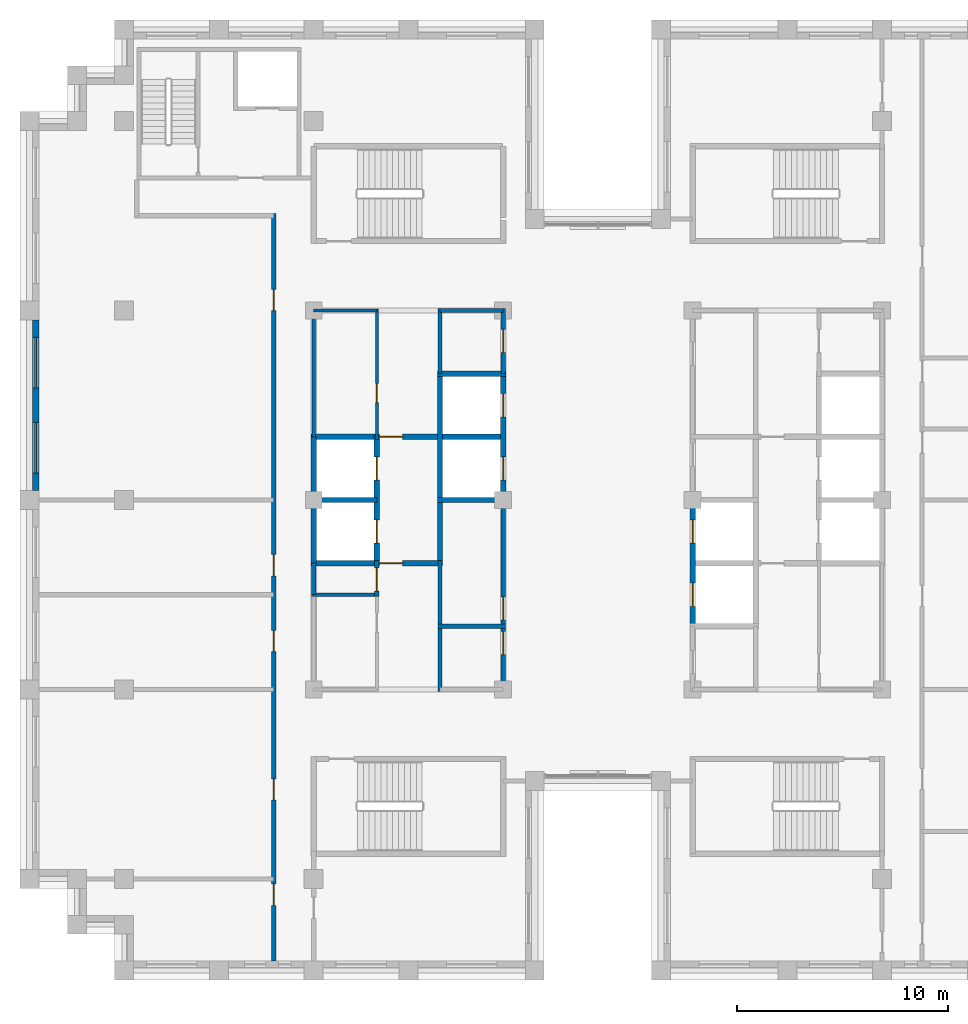
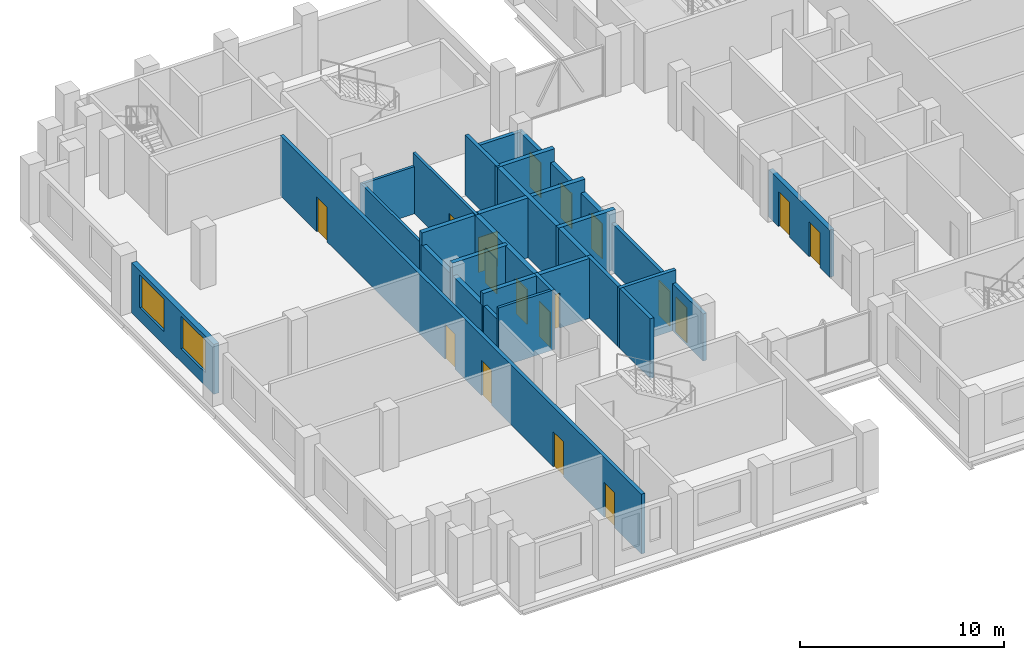
# One storey, part 7 of 13: 24 walls, 18 doors, 2 windows, 20 openings.
"""IFC4 building model written with IfcOpenShell, lengths in metres."""

from ifc_helpers import new_model, si_unit, direction, frame, frame_2d, origin, place, context, subcontext, project, spatial, rectangle, extrude, material, layer, layer_set, type_object, element, fill, save


model = new_model("IFC4")

# Units and contexts
model_context = context("Model", 3, precision=1e-05, world=origin(), true_north=direction((0.0, 1.0)))
body_context = subcontext(model_context, "Body", "Model", "MODEL_VIEW")
ifc_project = project(units=[si_unit("LENGTHUNIT", "METRE"), si_unit("AREAUNIT", "SQUARE_METRE"), si_unit("VOLUMEUNIT", "CUBIC_METRE"), si_unit("PLANEANGLEUNIT", "RADIAN"), si_unit("MASSUNIT", "GRAM", prefix="KILO")], contexts=[model_context])

# Site, building, storey
site_placement = place(None, origin())
site = spatial("IfcSite", under=ifc_project, at=site_placement, CompositionType="ELEMENT")
building_placement = place(site_placement, origin())
building = spatial("IfcBuilding", under=site, at=building_placement, Name="Corbelhall Arena Tower", CompositionType="ELEMENT")
storey_placement = place(building_placement, frame((0.0, 0.0, 290.0)))
storey = spatial("IfcBuildingStorey", under=building, at=storey_placement, Name="L63", CompositionType="ELEMENT", Elevation=290.0)

# Wall, openings, windows
ifc_material_1 = material(Name="Precast concrete C40/50 with granite facing", Category="masonry")
ifc_layer_1 = layer(ifc_material_1, 0.300048828125)
ifc_layer_set_1 = layer_set([ifc_layer_1], Name="EV-IW1 Infill panel 300")
wall_type_1 = type_object("IfcWallType", Name="EV-IW1 Infill panel 300", PredefinedType="SOLIDWALL", material=ifc_layer_set_1)
wall_1_placement = place(storey_placement, frame((-26.699951171875, 8.550048828125, 0.0), z_axis=(0.0, 0.0, 1.0), x_axis=(0.0, -1.0, 0.0)))
wall_1 = element("IfcWall", 1, at=wall_1_placement, inside=storey, type_object=wall_type_1, Name="Infill panel IW1", PredefinedType="SOLIDWALL", context=body_context, shape_type="SweptSolid", body=[
    extrude(rectangle(XDim=8.10009765625, YDim=0.300048828125, at=frame_2d((4.050048828125, 0.0))), origin(), (0.0, 0.0, 1.0), 2.989990234375),
])
opening_1_placement = place(wall_1_placement, frame((0.824951171875, 0.0, 0.800048828125)))
opening_1 = element("IfcOpeningElement", 2, at=opening_1_placement, cuts=wall_1, Name="Opening WN1", PredefinedType="OPENING", context=body_context, shape_type="SweptSolid", body=[
    extrude(rectangle(XDim=2.39990234375, YDim=1.949951171875, at=frame_2d((1.199951171875, 0.97509765625))), frame((0.0, 0.14990234375, 0.0), z_axis=(0.0, -1.0, 0.0), x_axis=(1.0, 0.0, 0.0)), (0.0, 0.0, 1.0), 0.300048828125),
])
opening_2_placement = place(wall_1_placement, frame((4.875, 0.0, 0.800048828125)))
opening_2 = element("IfcOpeningElement", 3, at=opening_2_placement, cuts=wall_1, Name="Opening WN1", PredefinedType="OPENING", context=body_context, shape_type="SweptSolid", body=[
    extrude(rectangle(XDim=2.39990234375, YDim=1.949951171875, at=frame_2d((1.199951171875, 0.97509765625))), frame((0.0, 0.14990234375, 0.0), z_axis=(0.0, -1.0, 0.0), x_axis=(1.0, 0.0, 0.0)), (0.0, 0.0, 1.0), 0.300048828125),
])
ifc_material_2 = material(Name="Aluminium black anodised", Category="aluminium")
window_type = type_object("IfcWindowType", Name="EV-WN1 Office window", PartitioningType="SINGLE_PANEL", PredefinedType="WINDOW", material=ifc_material_2)
window_1_placement = place(opening_1_placement, origin())
window_1 = element("IfcWindow", 4, at=window_1_placement, inside=storey, type_object=window_type, Name="Window WN1", OverallHeight=1.949951171875, OverallWidth=2.39990234375, PartitioningType="SINGLE_PANEL", PredefinedType="WINDOW", context=body_context, shape_type="SweptSolid", body=[
    extrude(rectangle(XDim=2.39990234375, YDim=1.949951171875, at=frame_2d((1.199951171875, 0.97509765625))), frame((0.0, 0.030029296875, 0.0), z_axis=(0.0, -1.0, 0.0), x_axis=(1.0, 0.0, 0.0)), (0.0, 0.0, 1.0), 0.06005859375),
])
fill(opening_1, window_1)
window_2_placement = place(opening_2_placement, origin())
window_2 = element("IfcWindow", 5, at=window_2_placement, inside=storey, type_object=window_type, Name="Window WN1", OverallHeight=1.949951171875, OverallWidth=2.39990234375, PartitioningType="SINGLE_PANEL", PredefinedType="WINDOW", context=body_context, shape_type="SweptSolid", body=[
    extrude(rectangle(XDim=2.39990234375, YDim=1.949951171875, at=frame_2d((1.199951171875, 0.97509765625))), frame((0.0, 0.030029296875, 0.0), z_axis=(0.0, -1.0, 0.0), x_axis=(1.0, 0.0, 0.0)), (0.0, 0.0, 1.0), 0.06005859375),
])
fill(opening_2, window_2)

# Wall, openings, doors
ifc_material_3 = material(Name="Gypsum board on steel stud, acoustic", Category="steel")
ifc_layer_2 = layer(ifc_material_3, 0.199951171875)
ifc_layer_set_2 = layer_set([ifc_layer_2], Name="IN-W-DM200")
wall_type_2 = type_object("IfcWallType", Name="IN-W-DM200", PredefinedType="PARTITIONING", material=ifc_layer_set_2)
wall_2_placement = place(storey_placement, frame((-15.39990234375, -21.89990234375, 0.0), z_axis=(0.0, 0.0, 1.0), x_axis=(0.0, 1.0, 0.0)))
wall_2 = element("IfcWall", 6, at=wall_2_placement, inside=storey, type_object=wall_type_2, Name="Partition 005", PredefinedType="PARTITIONING", context=body_context, shape_type="SweptSolid", body=[
    extrude(rectangle(XDim=35.5, YDim=0.199951171875, at=frame_2d((17.75, 0.0))), origin(), (0.0, 0.0, 1.0), 3.590087890625),
])
opening_3_placement = place(wall_2_placement, frame((30.89990234375, 0.0, 0.0)))
opening_3 = element("IfcOpeningElement", 7, at=opening_3_placement, cuts=wall_2, Name="Opening 20023", PredefinedType="OPENING", context=body_context, shape_type="SweptSolid", body=[
    extrude(rectangle(XDim=1.0, YDim=2.10009765625, at=frame_2d((0.5, 1.050048828125))), frame((0.0, 0.10009765625, 0.0), z_axis=(0.0, -1.0, 0.0), x_axis=(1.0, 0.0, 0.0)), (0.0, 0.0, 1.0), 0.199951171875),
])
opening_4_placement = place(wall_2_placement, frame((2.64990234375, 0.0, 0.0)))
opening_4 = element("IfcOpeningElement", 8, at=opening_4_placement, cuts=wall_2, Name="Opening 20024", PredefinedType="OPENING", context=body_context, shape_type="SweptSolid", body=[
    extrude(rectangle(XDim=1.0, YDim=2.10009765625, at=frame_2d((0.5, 1.050048828125))), frame((0.0, 0.10009765625, 0.0), z_axis=(0.0, -1.0, 0.0), x_axis=(1.0, 0.0, 0.0)), (0.0, 0.0, 1.0), 0.199951171875),
])
opening_5_placement = place(wall_2_placement, frame((7.64990234375, 0.0, 0.0)))
opening_5 = element("IfcOpeningElement", 9, at=opening_5_placement, cuts=wall_2, Name="Opening 20025", PredefinedType="OPENING", context=body_context, shape_type="SweptSolid", body=[
    extrude(rectangle(XDim=1.0, YDim=2.10009765625, at=frame_2d((0.5, 1.050048828125))), frame((0.0, 0.10009765625, 0.0), z_axis=(0.0, -1.0, 0.0), x_axis=(1.0, 0.0, 0.0)), (0.0, 0.0, 1.0), 0.199951171875),
])
opening_6_placement = place(wall_2_placement, frame((14.699951171875, 0.0, 0.0)))
opening_6 = element("IfcOpeningElement", 10, at=opening_6_placement, cuts=wall_2, Name="Opening 20026", PredefinedType="OPENING", context=body_context, shape_type="SweptSolid", body=[
    extrude(rectangle(XDim=1.0, YDim=2.10009765625, at=frame_2d((0.5, 1.050048828125))), frame((0.0, 0.10009765625, 0.0), z_axis=(0.0, -1.0, 0.0), x_axis=(1.0, 0.0, 0.0)), (0.0, 0.0, 1.0), 0.199951171875),
])
opening_7_placement = place(wall_2_placement, frame((18.300048828125, 0.0, 0.0)))
opening_7 = element("IfcOpeningElement", 11, at=opening_7_placement, cuts=wall_2, Name="Opening 20027", PredefinedType="OPENING", context=body_context, shape_type="SweptSolid", body=[
    extrude(rectangle(XDim=1.0, YDim=2.10009765625, at=frame_2d((0.5, 1.050048828125))), frame((0.0, 0.10009765625, 0.0), z_axis=(0.0, -1.0, 0.0), x_axis=(1.0, 0.0, 0.0)), (0.0, 0.0, 1.0), 0.199951171875),
])
ifc_material_4 = material(Name="Steel door set", Category="steel")
door_type_1 = type_object("IfcDoorType", Name="IN-D-SW100", OperationType="NOTDEFINED", PredefinedType="DOOR", material=ifc_material_4)
door_1_placement = place(opening_3_placement, origin())
door_1 = element("IfcDoor", 12, at=door_1_placement, inside=storey, type_object=door_type_1, Name="Door 023", OperationType="SINGLE_SWING_RIGHT", OverallHeight=2.10009765625, OverallWidth=1.0, PredefinedType="DOOR", context=body_context, shape_type="SweptSolid", body=[
    extrude(rectangle(XDim=1.0, YDim=2.10009765625, at=frame_2d((0.5, 1.050048828125))), frame((0.0, 0.02490234375, 0.0), z_axis=(0.0, -1.0, 0.0), x_axis=(1.0, 0.0, 0.0)), (0.0, 0.0, 1.0), 0.050048828125),
])
fill(opening_3, door_1)
door_2_placement = place(opening_4_placement, origin())
door_2 = element("IfcDoor", 13, at=door_2_placement, inside=storey, type_object=door_type_1, Name="Door 024", OperationType="SINGLE_SWING_LEFT", OverallHeight=2.10009765625, OverallWidth=1.0, PredefinedType="DOOR", context=body_context, shape_type="SweptSolid", body=[
    extrude(rectangle(XDim=1.0, YDim=2.10009765625, at=frame_2d((0.5, 1.050048828125))), frame((0.0, 0.02490234375, 0.0), z_axis=(0.0, -1.0, 0.0), x_axis=(1.0, 0.0, 0.0)), (0.0, 0.0, 1.0), 0.050048828125),
])
fill(opening_4, door_2)
door_3_placement = place(opening_5_placement, origin())
door_3 = element("IfcDoor", 14, at=door_3_placement, inside=storey, type_object=door_type_1, Name="Door 025", OperationType="SINGLE_SWING_RIGHT", OverallHeight=2.10009765625, OverallWidth=1.0, PredefinedType="DOOR", context=body_context, shape_type="SweptSolid", body=[
    extrude(rectangle(XDim=1.0, YDim=2.10009765625, at=frame_2d((0.5, 1.050048828125))), frame((0.0, 0.02490234375, 0.0), z_axis=(0.0, -1.0, 0.0), x_axis=(1.0, 0.0, 0.0)), (0.0, 0.0, 1.0), 0.050048828125),
])
fill(opening_5, door_3)
door_4_placement = place(opening_6_placement, origin())
door_4 = element("IfcDoor", 15, at=door_4_placement, inside=storey, type_object=door_type_1, Name="Door 026", OperationType="SINGLE_SWING_LEFT", OverallHeight=2.10009765625, OverallWidth=1.0, PredefinedType="DOOR", context=body_context, shape_type="SweptSolid", body=[
    extrude(rectangle(XDim=1.0, YDim=2.10009765625, at=frame_2d((0.5, 1.050048828125))), frame((0.0, 0.02490234375, 0.0), z_axis=(0.0, -1.0, 0.0), x_axis=(1.0, 0.0, 0.0)), (0.0, 0.0, 1.0), 0.050048828125),
])
fill(opening_6, door_4)
door_5_placement = place(opening_7_placement, origin())
door_5 = element("IfcDoor", 16, at=door_5_placement, inside=storey, type_object=door_type_1, Name="Door 027", OperationType="SINGLE_SWING_RIGHT", OverallHeight=2.10009765625, OverallWidth=1.0, PredefinedType="DOOR", context=body_context, shape_type="SweptSolid", body=[
    extrude(rectangle(XDim=1.0, YDim=2.10009765625, at=frame_2d((0.5, 1.050048828125))), frame((0.0, 0.02490234375, 0.0), z_axis=(0.0, -1.0, 0.0), x_axis=(1.0, 0.0, 0.0)), (0.0, 0.0, 1.0), 0.050048828125),
])
fill(opening_7, door_5)

# Wall, opening, door
ifc_material_5 = material(Name="Concrete block wall", Category="concrete")
ifc_layer_3 = layer(ifc_material_5, 0.199951171875)
ifc_layer_set_3 = layer_set([ifc_layer_3], Name="IN-W-RS200")
wall_type_3 = type_object("IfcWallType", Name="IN-W-RS200", PredefinedType="SOLIDWALL", material=ifc_layer_set_3)
wall_3_placement = place(storey_placement, frame((-10.5, -4.574951171875, 0.0), z_axis=(0.0, 0.0, 1.0), x_axis=(0.0, 1.0, 0.0)))
wall_3 = element("IfcWall", 17, at=wall_3_placement, inside=storey, type_object=wall_type_3, Name="Partition 022", PredefinedType="SOLIDWALL", context=body_context, shape_type="SweptSolid", body=[
    extrude(rectangle(XDim=1.699951171875, YDim=0.199951171875, at=frame_2d((0.85009765625, 0.0))), origin(), (0.0, 0.0, 1.0), 3.590087890625),
])
opening_8_placement = place(wall_3_placement, frame((0.25, 0.0, 0.0)))
opening_8 = element("IfcOpeningElement", 18, at=opening_8_placement, cuts=wall_3, Name="Opening 20007", PredefinedType="OPENING", context=body_context, shape_type="SweptSolid", body=[
    extrude(rectangle(XDim=1.10009765625, YDim=2.10009765625, at=frame_2d((0.550048828125, 1.050048828125))), frame((0.0, 0.10009765625, 0.0), z_axis=(0.0, -1.0, 0.0), x_axis=(1.0, 0.0, 0.0)), (0.0, 0.0, 1.0), 0.199951171875),
])
door_type_2 = type_object("IfcDoorType", Name="IN-D-FD110", OperationType="NOTDEFINED", PredefinedType="DOOR", material=ifc_material_4)
door_6_placement = place(opening_8_placement, origin())
door_6 = element("IfcDoor", 19, at=door_6_placement, inside=storey, type_object=door_type_2, Name="Door 007", OperationType="SINGLE_SWING_RIGHT", OverallHeight=2.10009765625, OverallWidth=1.10009765625, PredefinedType="DOOR", context=body_context, shape_type="SweptSolid", body=[
    extrude(rectangle(XDim=1.10009765625, YDim=2.10009765625, at=frame_2d((0.550048828125, 1.050048828125))), frame((0.0, 0.02490234375, 0.0), z_axis=(0.0, -1.0, 0.0), x_axis=(1.0, 0.0, 0.0)), (0.0, 0.0, 1.0), 0.050048828125),
])
fill(opening_8, door_6)

# Walls
wall_4_placement = place(storey_placement, frame((-7.60009765625, -6.0, 0.0), z_axis=(0.0, 0.0, 1.0), x_axis=(1.0, 0.0, 0.0)))
element("IfcWall", 20, at=wall_4_placement, inside=storey, type_object=wall_type_3, Name="Partition 023", PredefinedType="SOLIDWALL", context=body_context, shape_type="SweptSolid", body=[
    extrude(rectangle(XDim=3.2001953125, YDim=0.199951171875, at=frame_2d((1.60009765625, 0.0))), origin(), (0.0, 0.0, 1.0), 3.590087890625),
])
wall_5_placement = place(storey_placement, frame((-7.5, -9.10009765625, 0.0), z_axis=(0.0, 0.0, 1.0), x_axis=(0.0, 1.0, 0.0)))
element("IfcWall", 21, at=wall_5_placement, inside=storey, type_object=wall_type_3, Name="Partition 024", PredefinedType="SOLIDWALL", context=body_context, shape_type="SweptSolid", body=[
    extrude(rectangle(XDim=6.22509765625, YDim=0.199951171875, at=frame_2d((3.112548828125, 0.0))), origin(), (0.0, 0.0, 1.0), 3.590087890625),
])
wall_6_placement = place(storey_placement, frame((-7.5, 6.0, 0.0), z_axis=(0.0, 0.0, 1.0), x_axis=(0.0, 1.0, 0.0)))
element("IfcWall", 22, at=wall_6_placement, inside=storey, type_object=wall_type_3, Name="Partition 025", PredefinedType="SOLIDWALL", context=body_context, shape_type="SweptSolid", body=[
    extrude(rectangle(XDim=3.10009765625, YDim=0.199951171875, at=frame_2d((1.550048828125, 0.0))), origin(), (0.0, 0.0, 1.0), 3.590087890625),
])
ifc_layer_4 = layer(ifc_material_5, 0.199951171875)
ifc_layer_set_4 = layer_set([ifc_layer_4], Name="IN-W-RS200 under beam 762 mm")
wall_type_4 = type_object("IfcWallType", Name="IN-W-RS200 under beam 762 mm", PredefinedType="SOLIDWALL", material=ifc_layer_set_4)
wall_7_placement = place(storey_placement, frame((-13.5, -4.5, 0.0), z_axis=(0.0, 0.0, 1.0), x_axis=(0.0, 1.0, 0.0)))
element("IfcWall", 23, at=wall_7_placement, inside=storey, type_object=wall_type_4, Name="Partition 021", PredefinedType="SOLIDWALL", context=body_context, shape_type="SweptSolid", body=[
    extrude(rectangle(XDim=1.5, YDim=0.199951171875, at=frame_2d((0.75, 0.0))), origin(), (0.0, 0.0, 1.0), 2.827880859375),
])
wall_8_placement = place(storey_placement, frame((-7.5, 9.0, 0.0), z_axis=(0.0, 0.0, 1.0), x_axis=(1.0, 0.0, 0.0)))
element("IfcWall", 24, at=wall_8_placement, inside=storey, type_object=wall_type_4, Name="Partition 026", PredefinedType="SOLIDWALL", context=body_context, shape_type="SweptSolid", body=[
    extrude(rectangle(XDim=3.0, YDim=0.199951171875, at=frame_2d((1.5, 0.0))), origin(), (0.0, 0.0, 1.0), 2.827880859375),
])

# Wall, openings, doors
wall_9_placement = place(storey_placement, frame((-4.5, 0.0, 0.0), z_axis=(0.0, 0.0, 1.0), x_axis=(0.0, -1.0, 0.0)))
wall_9 = element("IfcWall", 25, at=wall_9_placement, inside=storey, type_object=wall_type_4, Name="Partition 028", PredefinedType="SOLIDWALL", context=body_context, shape_type="SweptSolid", body=[
    extrude(rectangle(XDim=9.10009765625, YDim=0.199951171875, at=frame_2d((4.550048828125, 0.0))), origin(), (0.0, 0.0, 1.0), 2.827880859375),
])
opening_9_placement = place(wall_9_placement, frame((6.25, 0.0, 0.0)))
opening_9 = element("IfcOpeningElement", 26, at=opening_9_placement, cuts=wall_9, Name="Opening 20001", PredefinedType="OPENING", context=body_context, shape_type="SweptSolid", body=[
    extrude(rectangle(XDim=1.10009765625, YDim=2.10009765625, at=frame_2d((0.550048828125, 1.050048828125))), frame((0.0, 0.10009765625, 0.0), z_axis=(0.0, -1.0, 0.0), x_axis=(1.0, 0.0, 0.0)), (0.0, 0.0, 1.0), 0.199951171875),
])
opening_10_placement = place(wall_9_placement, frame((4.60009765625, 0.0, 0.0)))
opening_10 = element("IfcOpeningElement", 27, at=opening_10_placement, cuts=wall_9, Name="Opening 20002", PredefinedType="OPENING", context=body_context, shape_type="SweptSolid", body=[
    extrude(rectangle(XDim=1.10009765625, YDim=2.10009765625, at=frame_2d((0.550048828125, 1.050048828125))), frame((0.0, 0.10009765625, 0.0), z_axis=(0.0, -1.0, 0.0), x_axis=(1.0, 0.0, 0.0)), (0.0, 0.0, 1.0), 0.199951171875),
])
door_7_placement = place(opening_9_placement, origin())
door_7 = element("IfcDoor", 28, at=door_7_placement, inside=storey, type_object=door_type_2, Name="Door 001", OperationType="SINGLE_SWING_RIGHT", OverallHeight=2.10009765625, OverallWidth=1.10009765625, PredefinedType="DOOR", context=body_context, shape_type="SweptSolid", body=[
    extrude(rectangle(XDim=1.10009765625, YDim=2.10009765625, at=frame_2d((0.550048828125, 1.050048828125))), frame((0.0, 0.02490234375, 0.0), z_axis=(0.0, -1.0, 0.0), x_axis=(1.0, 0.0, 0.0)), (0.0, 0.0, 1.0), 0.050048828125),
])
fill(opening_9, door_7)
door_8_placement = place(opening_10_placement, origin())
door_8 = element("IfcDoor", 29, at=door_8_placement, inside=storey, type_object=door_type_2, Name="Door 002", OperationType="SINGLE_SWING_LEFT", OverallHeight=2.10009765625, OverallWidth=1.10009765625, PredefinedType="DOOR", context=body_context, shape_type="SweptSolid", body=[
    extrude(rectangle(XDim=1.10009765625, YDim=2.10009765625, at=frame_2d((0.550048828125, 1.050048828125))), frame((0.0, 0.02490234375, 0.0), z_axis=(0.0, -1.0, 0.0), x_axis=(1.0, 0.0, 0.0)), (0.0, 0.0, 1.0), 0.050048828125),
])
fill(opening_10, door_8)

# Wall, opening, door
wall_10_placement = place(storey_placement, frame((-4.5, 9.10009765625, 0.0), z_axis=(0.0, 0.0, 1.0), x_axis=(0.0, -1.0, 0.0)))
wall_10 = element("IfcWall", 30, at=wall_10_placement, inside=storey, type_object=wall_type_4, Name="Partition 029", PredefinedType="SOLIDWALL", context=body_context, shape_type="SweptSolid", body=[
    extrude(rectangle(XDim=3.10009765625, YDim=0.199951171875, at=frame_2d((1.550048828125, 0.0))), origin(), (0.0, 0.0, 1.0), 2.827880859375),
])
opening_11_placement = place(wall_10_placement, frame((1.0, 0.0, 0.0)))
opening_11 = element("IfcOpeningElement", 31, at=opening_11_placement, cuts=wall_10, Name="Opening 20003", PredefinedType="OPENING", context=body_context, shape_type="SweptSolid", body=[
    extrude(rectangle(XDim=1.10009765625, YDim=2.10009765625, at=frame_2d((0.550048828125, 1.050048828125))), frame((0.0, 0.10009765625, 0.0), z_axis=(0.0, -1.0, 0.0), x_axis=(1.0, 0.0, 0.0)), (0.0, 0.0, 1.0), 0.199951171875),
])
door_9_placement = place(opening_11_placement, origin())
door_9 = element("IfcDoor", 32, at=door_9_placement, inside=storey, type_object=door_type_2, Name="Door 003", OperationType="SINGLE_SWING_RIGHT", OverallHeight=2.10009765625, OverallWidth=1.10009765625, PredefinedType="DOOR", context=body_context, shape_type="SweptSolid", body=[
    extrude(rectangle(XDim=1.10009765625, YDim=2.10009765625, at=frame_2d((0.550048828125, 1.050048828125))), frame((0.0, 0.02490234375, 0.0), z_axis=(0.0, -1.0, 0.0), x_axis=(1.0, 0.0, 0.0)), (0.0, 0.0, 1.0), 0.050048828125),
])
fill(opening_11, door_9)

# Wall
ifc_material_6 = material(Name="Concrete C40/50", Category="concrete")
ifc_layer_5 = layer(ifc_material_6, 0.25)
ifc_layer_set_5 = layer_set([ifc_layer_5], Name="IN-W-SH250")
wall_type_5 = type_object("IfcWallType", Name="IN-W-SH250", PredefinedType="SOLIDWALL", material=ifc_layer_set_5)
wall_11_placement = place(storey_placement, frame((-13.625, 0.0, 0.0), z_axis=(0.0, 0.0, 1.0), x_axis=(1.0, 0.0, 0.0)))
element("IfcWall", 33, at=wall_11_placement, inside=storey, type_object=wall_type_5, Name="Shaft wall 040", PredefinedType="SOLIDWALL", context=body_context, shape_type="SweptSolid", body=[
    extrude(rectangle(XDim=3.125, YDim=0.25, at=frame_2d((1.5625, 0.0))), origin(), (0.0, 0.0, 1.0), 3.590087890625),
])

# Wall, opening, door
wall_12_placement = place(storey_placement, frame((-13.625, 3.0, 0.0), z_axis=(0.0, 0.0, 1.0), x_axis=(1.0, 0.0, 0.0)))
wall_12 = element("IfcWall", 34, at=wall_12_placement, inside=storey, type_object=wall_type_5, Name="Shaft wall 041", PredefinedType="SOLIDWALL", context=body_context, shape_type="SweptSolid", body=[
    extrude(rectangle(XDim=9.25, YDim=0.25, at=frame_2d((4.625, 0.0))), origin(), (0.0, 0.0, 1.0), 3.590087890625),
])
opening_12_placement = place(wall_12_placement, frame((3.25, 0.0, 0.0)))
opening_12 = element("IfcOpeningElement", 35, at=opening_12_placement, cuts=wall_12, Name="Opening 20005", PredefinedType="OPENING", context=body_context, shape_type="SweptSolid", body=[
    extrude(rectangle(XDim=1.10009765625, YDim=2.10009765625, at=frame_2d((0.550048828125, 1.050048828125))), frame((0.0, 0.125, 0.0), z_axis=(0.0, -1.0, 0.0), x_axis=(1.0, 0.0, 0.0)), (0.0, 0.0, 1.0), 0.25),
])
door_10_placement = place(opening_12_placement, origin())
door_10 = element("IfcDoor", 36, at=door_10_placement, inside=storey, type_object=door_type_2, Name="Door 005", OperationType="SINGLE_SWING_RIGHT", OverallHeight=2.10009765625, OverallWidth=1.10009765625, PredefinedType="DOOR", context=body_context, shape_type="SweptSolid", body=[
    extrude(rectangle(XDim=1.10009765625, YDim=2.10009765625, at=frame_2d((0.550048828125, 1.050048828125))), frame((0.0, 0.02490234375, 0.0), z_axis=(0.0, -1.0, 0.0), x_axis=(1.0, 0.0, 0.0)), (0.0, 0.0, 1.0), 0.050048828125),
])
fill(opening_12, door_10)

wall_13_placement = place(storey_placement, frame((-13.625, -3.0, 0.0), z_axis=(0.0, 0.0, 1.0), x_axis=(1.0, 0.0, 0.0)))
wall_13 = element("IfcWall", 37, at=wall_13_placement, inside=storey, type_object=wall_type_5, Name="Shaft wall 043", PredefinedType="SOLIDWALL", context=body_context, shape_type="SweptSolid", body=[
    extrude(rectangle(XDim=6.125, YDim=0.25, at=frame_2d((3.0625, 0.0))), origin(), (0.0, 0.0, 1.0), 3.590087890625),
])
opening_13_placement = place(wall_13_placement, frame((3.25, 0.0, 0.0)))
opening_13 = element("IfcOpeningElement", 38, at=opening_13_placement, cuts=wall_13, Name="Opening 20004", PredefinedType="OPENING", context=body_context, shape_type="SweptSolid", body=[
    extrude(rectangle(XDim=1.10009765625, YDim=2.10009765625, at=frame_2d((0.550048828125, 1.050048828125))), frame((0.0, 0.125, 0.0), z_axis=(0.0, -1.0, 0.0), x_axis=(1.0, 0.0, 0.0)), (0.0, 0.0, 1.0), 0.25),
])
door_11_placement = place(opening_13_placement, origin())
door_11 = element("IfcDoor", 39, at=door_11_placement, inside=storey, type_object=door_type_2, Name="Door 004", OperationType="SINGLE_SWING_LEFT", OverallHeight=2.10009765625, OverallWidth=1.10009765625, PredefinedType="DOOR", context=body_context, shape_type="SweptSolid", body=[
    extrude(rectangle(XDim=1.10009765625, YDim=2.10009765625, at=frame_2d((0.550048828125, 1.050048828125))), frame((0.0, 0.02490234375, 0.0), z_axis=(0.0, -1.0, 0.0), x_axis=(1.0, 0.0, 0.0)), (0.0, 0.0, 1.0), 0.050048828125),
])
fill(opening_13, door_11)

# Wall, openings, doors
wall_14_placement = place(storey_placement, frame((-10.5, -3.125, 0.0), z_axis=(0.0, 0.0, 1.0), x_axis=(0.0, 1.0, 0.0)))
wall_14 = element("IfcWall", 40, at=wall_14_placement, inside=storey, type_object=wall_type_5, Name="Shaft wall 044", PredefinedType="SOLIDWALL", context=body_context, shape_type="SweptSolid", body=[
    extrude(rectangle(XDim=6.25, YDim=0.25, at=frame_2d((3.125, 0.0))), origin(), (0.0, 0.0, 1.0), 3.590087890625),
])
opening_14_placement = place(wall_14_placement, frame((1.074951171875, 0.0, 0.0)))
opening_14 = element("IfcOpeningElement", 41, at=opening_14_placement, cuts=wall_14, Name="Opening LD", PredefinedType="OPENING", context=body_context, shape_type="SweptSolid", body=[
    extrude(rectangle(XDim=1.10009765625, YDim=2.10009765625, at=frame_2d((0.550048828125, 1.050048828125))), frame((0.0, 0.125, 0.0), z_axis=(0.0, -1.0, 0.0), x_axis=(1.0, 0.0, 0.0)), (0.0, 0.0, 1.0), 0.25),
])
opening_15_placement = place(wall_14_placement, frame((4.074951171875, 0.0, 0.0)))
opening_15 = element("IfcOpeningElement", 42, at=opening_15_placement, cuts=wall_14, Name="Opening LD", PredefinedType="OPENING", context=body_context, shape_type="SweptSolid", body=[
    extrude(rectangle(XDim=1.10009765625, YDim=2.10009765625, at=frame_2d((0.550048828125, 1.050048828125))), frame((0.0, 0.125, 0.0), z_axis=(0.0, -1.0, 0.0), x_axis=(1.0, 0.0, 0.0)), (0.0, 0.0, 1.0), 0.25),
])
door_type_3 = type_object("IfcDoorType", Name="IN-D-LD110", OperationType="NOTDEFINED", PredefinedType="DOOR", material=ifc_material_4)
door_12_placement = place(opening_14_placement, origin())
door_12 = element("IfcDoor", 43, at=door_12_placement, inside=storey, type_object=door_type_3, Name="Landing door W3", OperationType="SLIDING_TO_LEFT", OverallHeight=2.10009765625, OverallWidth=1.10009765625, PredefinedType="DOOR", context=body_context, shape_type="SweptSolid", body=[
    extrude(rectangle(XDim=1.10009765625, YDim=2.10009765625, at=frame_2d((0.550048828125, 1.050048828125))), frame((0.0, 0.02490234375, 0.0), z_axis=(0.0, -1.0, 0.0), x_axis=(1.0, 0.0, 0.0)), (0.0, 0.0, 1.0), 0.050048828125),
])
fill(opening_14, door_12)
door_13_placement = place(opening_15_placement, origin())
door_13 = element("IfcDoor", 44, at=door_13_placement, inside=storey, type_object=door_type_3, Name="Landing door W4", OperationType="SLIDING_TO_LEFT", OverallHeight=2.10009765625, OverallWidth=1.10009765625, PredefinedType="DOOR", context=body_context, shape_type="SweptSolid", body=[
    extrude(rectangle(XDim=1.10009765625, YDim=2.10009765625, at=frame_2d((0.550048828125, 1.050048828125))), frame((0.0, 0.02490234375, 0.0), z_axis=(0.0, -1.0, 0.0), x_axis=(1.0, 0.0, 0.0)), (0.0, 0.0, 1.0), 0.050048828125),
])
fill(opening_15, door_13)

# Walls
for number, where, z_axis, x_axis, name in (
    (45, (-7.625, 0.0, 0.0), (0.0, 0.0, 1.0), (1.0, 0.0, 0.0), "Shaft wall 045"),
    (46, (-7.625, 6.0, 0.0), (0.0, 0.0, 1.0), (1.0, 0.0, 0.0), "Shaft wall 046"),
):
    element("IfcWall", number, at=place(storey_placement, frame(where, z_axis=z_axis, x_axis=x_axis)), inside=storey, type_object=wall_type_5, Name=name, PredefinedType="SOLIDWALL", context=body_context, shape_type="SweptSolid", body=[
        extrude(rectangle(XDim=3.25, YDim=0.25, at=frame_2d((1.625, 0.0))), origin(), (0.0, 0.0, 1.0), 3.590087890625),
    ])
wall_15_placement = place(storey_placement, frame((-7.5, -3.125, 0.0), z_axis=(0.0, 0.0, 1.0), x_axis=(0.0, 1.0, 0.0)))
element("IfcWall", 47, at=wall_15_placement, inside=storey, type_object=wall_type_5, Name="Shaft wall 047", PredefinedType="SOLIDWALL", context=body_context, shape_type="SweptSolid", body=[
    extrude(rectangle(XDim=9.125, YDim=0.25, at=frame_2d((4.5625, 0.0))), origin(), (0.0, 0.0, 1.0), 3.590087890625),
])
ifc_layer_6 = layer(ifc_material_6, 0.25)
ifc_layer_set_6 = layer_set([ifc_layer_6], Name="IN-W-SH250 under beam 762 mm")
wall_type_6 = type_object("IfcWallType", Name="IN-W-SH250 under beam 762 mm", PredefinedType="SOLIDWALL", material=ifc_layer_set_6)
wall_16_placement = place(storey_placement, frame((-13.5, -3.0, 0.0), z_axis=(0.0, 0.0, 1.0), x_axis=(0.0, 1.0, 0.0)))
element("IfcWall", 48, at=wall_16_placement, inside=storey, type_object=wall_type_6, Name="Shaft wall 042", PredefinedType="SOLIDWALL", context=body_context, shape_type="SweptSolid", body=[
    extrude(rectangle(XDim=6.0, YDim=0.25, at=frame_2d((3.0, 0.0))), origin(), (0.0, 0.0, 1.0), 2.827880859375),
])

# Wall, openings, doors
wall_17_placement = place(storey_placement, frame((-4.5, 6.0, 0.0), z_axis=(0.0, 0.0, 1.0), x_axis=(0.0, -1.0, 0.0)))
wall_17 = element("IfcWall", 49, at=wall_17_placement, inside=storey, type_object=wall_type_6, Name="Shaft wall 048", PredefinedType="SOLIDWALL", context=body_context, shape_type="SweptSolid", body=[
    extrude(rectangle(XDim=6.0, YDim=0.25, at=frame_2d((3.0, 0.0))), origin(), (0.0, 0.0, 1.0), 2.827880859375),
])
opening_16_placement = place(wall_17_placement, frame((3.949951171875, 0.0, 0.0)))
opening_16 = element("IfcOpeningElement", 50, at=opening_16_placement, cuts=wall_17, Name="Opening LD", PredefinedType="OPENING", context=body_context, shape_type="SweptSolid", body=[
    extrude(rectangle(XDim=1.10009765625, YDim=2.10009765625, at=frame_2d((0.550048828125, 1.050048828125))), frame((0.0, 0.125, 0.0), z_axis=(0.0, -1.0, 0.0), x_axis=(1.0, 0.0, 0.0)), (0.0, 0.0, 1.0), 0.25),
])
opening_17_placement = place(wall_17_placement, frame((0.949951171875, 0.0, 0.0)))
opening_17 = element("IfcOpeningElement", 51, at=opening_17_placement, cuts=wall_17, Name="Opening LD", PredefinedType="OPENING", context=body_context, shape_type="SweptSolid", body=[
    extrude(rectangle(XDim=1.10009765625, YDim=2.10009765625, at=frame_2d((0.550048828125, 1.050048828125))), frame((0.0, 0.125, 0.0), z_axis=(0.0, -1.0, 0.0), x_axis=(1.0, 0.0, 0.0)), (0.0, 0.0, 1.0), 0.25),
])
door_14_placement = place(opening_16_placement, origin())
door_14 = element("IfcDoor", 52, at=door_14_placement, inside=storey, type_object=door_type_3, Name="Landing door W4", OperationType="SLIDING_TO_LEFT", OverallHeight=2.10009765625, OverallWidth=1.10009765625, PredefinedType="DOOR", context=body_context, shape_type="SweptSolid", body=[
    extrude(rectangle(XDim=1.10009765625, YDim=2.10009765625, at=frame_2d((0.550048828125, 1.050048828125))), frame((0.0, 0.02490234375, 0.0), z_axis=(0.0, -1.0, 0.0), x_axis=(1.0, 0.0, 0.0)), (0.0, 0.0, 1.0), 0.050048828125),
])
fill(opening_16, door_14)
door_15_placement = place(opening_17_placement, origin())
door_15 = element("IfcDoor", 53, at=door_15_placement, inside=storey, type_object=door_type_3, Name="Landing door W5", OperationType="SLIDING_TO_LEFT", OverallHeight=2.10009765625, OverallWidth=1.10009765625, PredefinedType="DOOR", context=body_context, shape_type="SweptSolid", body=[
    extrude(rectangle(XDim=1.10009765625, YDim=2.10009765625, at=frame_2d((0.550048828125, 1.050048828125))), frame((0.0, 0.02490234375, 0.0), z_axis=(0.0, -1.0, 0.0), x_axis=(1.0, 0.0, 0.0)), (0.0, 0.0, 1.0), 0.050048828125),
])
fill(opening_17, door_15)

wall_18_placement = place(storey_placement, frame((4.5, -6.0, 0.0), z_axis=(0.0, 0.0, 1.0), x_axis=(0.0, 1.0, 0.0)))
wall_18 = element("IfcWall", 54, at=wall_18_placement, inside=storey, type_object=wall_type_6, Name="Shaft wall 052", PredefinedType="SOLIDWALL", context=body_context, shape_type="SweptSolid", body=[
    extrude(rectangle(XDim=6.0, YDim=0.25, at=frame_2d((3.0, 0.0))), origin(), (0.0, 0.0, 1.0), 2.827880859375),
])
opening_18_placement = place(wall_18_placement, frame((0.949951171875, 0.0, 0.0)))
opening_18 = element("IfcOpeningElement", 55, at=opening_18_placement, cuts=wall_18, Name="Opening LD", PredefinedType="OPENING", context=body_context, shape_type="SweptSolid", body=[
    extrude(rectangle(XDim=1.10009765625, YDim=2.10009765625, at=frame_2d((0.550048828125, 1.050048828125))), frame((0.0, 0.125, 0.0), z_axis=(0.0, -1.0, 0.0), x_axis=(1.0, 0.0, 0.0)), (0.0, 0.0, 1.0), 0.25),
])
opening_19_placement = place(wall_18_placement, frame((3.949951171875, 0.0, 0.0)))
opening_19 = element("IfcOpeningElement", 56, at=opening_19_placement, cuts=wall_18, Name="Opening LD", PredefinedType="OPENING", context=body_context, shape_type="SweptSolid", body=[
    extrude(rectangle(XDim=1.10009765625, YDim=2.10009765625, at=frame_2d((0.550048828125, 1.050048828125))), frame((0.0, 0.125, 0.0), z_axis=(0.0, -1.0, 0.0), x_axis=(1.0, 0.0, 0.0)), (0.0, 0.0, 1.0), 0.25),
])
door_16_placement = place(opening_18_placement, origin())
door_16 = element("IfcDoor", 57, at=door_16_placement, inside=storey, type_object=door_type_3, Name="Landing door E2", OperationType="SLIDING_TO_LEFT", OverallHeight=2.10009765625, OverallWidth=1.10009765625, PredefinedType="DOOR", context=body_context, shape_type="SweptSolid", body=[
    extrude(rectangle(XDim=1.10009765625, YDim=2.10009765625, at=frame_2d((0.550048828125, 1.050048828125))), frame((0.0, 0.02490234375, 0.0), z_axis=(0.0, -1.0, 0.0), x_axis=(1.0, 0.0, 0.0)), (0.0, 0.0, 1.0), 0.050048828125),
])
fill(opening_18, door_16)
door_17_placement = place(opening_19_placement, origin())
door_17 = element("IfcDoor", 58, at=door_17_placement, inside=storey, type_object=door_type_3, Name="Landing door E3", OperationType="SLIDING_TO_LEFT", OverallHeight=2.10009765625, OverallWidth=1.10009765625, PredefinedType="DOOR", context=body_context, shape_type="SweptSolid", body=[
    extrude(rectangle(XDim=1.10009765625, YDim=2.10009765625, at=frame_2d((0.550048828125, 1.050048828125))), frame((0.0, 0.02490234375, 0.0), z_axis=(0.0, -1.0, 0.0), x_axis=(1.0, 0.0, 0.0)), (0.0, 0.0, 1.0), 0.050048828125),
])
fill(opening_19, door_17)

# Wall
ifc_material_7 = material(Name="Gypsum board on steel stud, moisture resistant", Category="steel")
ifc_layer_7 = layer(ifc_material_7, 0.14990234375)
ifc_layer_set_7 = layer_set([ifc_layer_7], Name="IN-W-WC150")
wall_type_7 = type_object("IfcWallType", Name="IN-W-WC150", PredefinedType="PARTITIONING", material=ifc_layer_set_7)
wall_19_placement = place(storey_placement, frame((-13.60009765625, -4.5, 0.0), z_axis=(0.0, 0.0, 1.0), x_axis=(1.0, 0.0, 0.0)))
element("IfcWall", 59, at=wall_19_placement, inside=storey, type_object=wall_type_7, Name="Partition 076", PredefinedType="PARTITIONING", context=body_context, shape_type="SweptSolid", body=[
    extrude(rectangle(XDim=3.10009765625, YDim=0.14990234375, at=frame_2d((1.550048828125, 0.0))), origin(), (0.0, 0.0, 1.0), 3.590087890625),
])

# Wall, opening, door
wall_20_placement = place(storey_placement, frame((-10.5, 2.875, 0.0), z_axis=(0.0, 0.0, 1.0), x_axis=(0.0, 1.0, 0.0)))
wall_20 = element("IfcWall", 60, at=wall_20_placement, inside=storey, type_object=wall_type_7, Name="Partition 082", PredefinedType="PARTITIONING", context=body_context, shape_type="SweptSolid", body=[
    extrude(rectangle(XDim=6.199951171875, YDim=0.14990234375, at=frame_2d((3.10009765625, 0.0))), origin(), (0.0, 0.0, 1.0), 3.590087890625),
])
opening_20_placement = place(wall_20_placement, frame((1.75, 0.0, 0.0)))
opening_20 = element("IfcOpeningElement", 61, at=opening_20_placement, cuts=wall_20, Name="Opening 20008", PredefinedType="OPENING", context=body_context, shape_type="SweptSolid", body=[
    extrude(rectangle(XDim=0.89990234375, YDim=2.10009765625, at=frame_2d((0.449951171875, 1.050048828125))), frame((0.0, 0.074951171875, 0.0), z_axis=(0.0, -1.0, 0.0), x_axis=(1.0, 0.0, 0.0)), (0.0, 0.0, 1.0), 0.14990234375),
])
ifc_material_8 = material(Name="Timber door set", Category="wood")
door_type_4 = type_object("IfcDoorType", Name="IN-D-SW90", OperationType="NOTDEFINED", PredefinedType="DOOR", material=ifc_material_8)
door_18_placement = place(opening_20_placement, origin())
door_18 = element("IfcDoor", 62, at=door_18_placement, inside=storey, type_object=door_type_4, Name="Door 008", OperationType="SINGLE_SWING_LEFT", OverallHeight=2.10009765625, OverallWidth=0.89990234375, PredefinedType="DOOR", context=body_context, shape_type="SweptSolid", body=[
    extrude(rectangle(XDim=0.89990234375, YDim=2.10009765625, at=frame_2d((0.449951171875, 1.050048828125))), frame((0.0, 0.02490234375, 0.0), z_axis=(0.0, -1.0, 0.0), x_axis=(1.0, 0.0, 0.0)), (0.0, 0.0, 1.0), 0.050048828125),
])
fill(opening_20, door_18)

# Walls
ifc_layer_8 = layer(ifc_material_7, 0.14990234375)
ifc_layer_set_8 = layer_set([ifc_layer_8], Name="IN-W-WC150 under beam 762 mm")
wall_type_8 = type_object("IfcWallType", Name="IN-W-WC150 under beam 762 mm", PredefinedType="PARTITIONING", material=ifc_layer_set_8)
wall_21_placement = place(storey_placement, frame((-13.5, 3.0, 0.0), z_axis=(0.0, 0.0, 1.0), x_axis=(0.0, 1.0, 0.0)))
element("IfcWall", 63, at=wall_21_placement, inside=storey, type_object=wall_type_8, Name="Partition 078", PredefinedType="PARTITIONING", context=body_context, shape_type="SweptSolid", body=[
    extrude(rectangle(XDim=6.074951171875, YDim=0.14990234375, at=frame_2d((3.03759765625, 0.0))), origin(), (0.0, 0.0, 1.0), 2.827880859375),
])
wall_22_placement = place(storey_placement, frame((-13.5, 9.0, 0.0), z_axis=(0.0, 0.0, 1.0), x_axis=(1.0, 0.0, 0.0)))
element("IfcWall", 64, at=wall_22_placement, inside=storey, type_object=wall_type_8, Name="Partition 079", PredefinedType="PARTITIONING", context=body_context, shape_type="SweptSolid", body=[
    extrude(rectangle(XDim=3.0, YDim=0.14990234375, at=frame_2d((1.5, 0.0))), origin(), (0.0, 0.0, 1.0), 2.827880859375),
])

save(model, "model.ifc")
